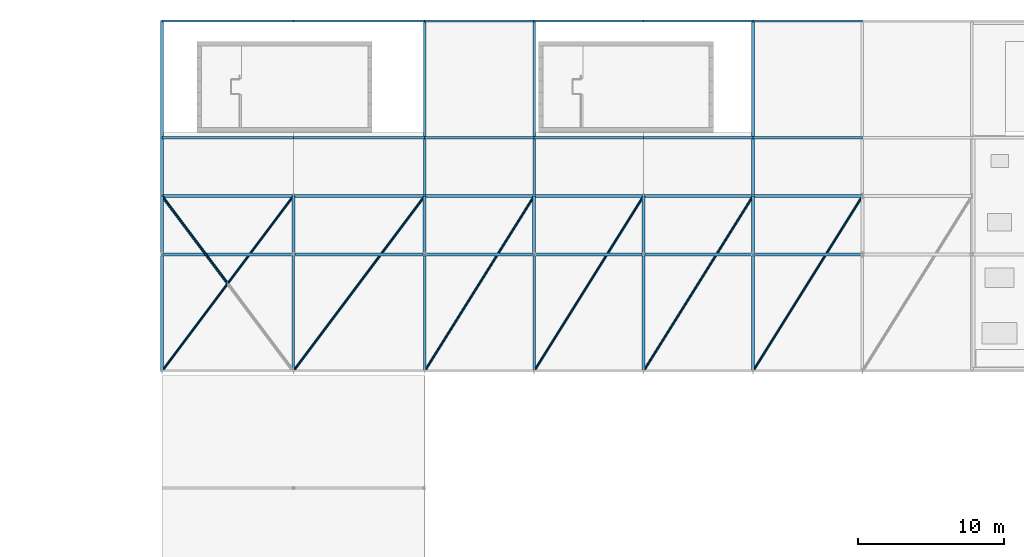
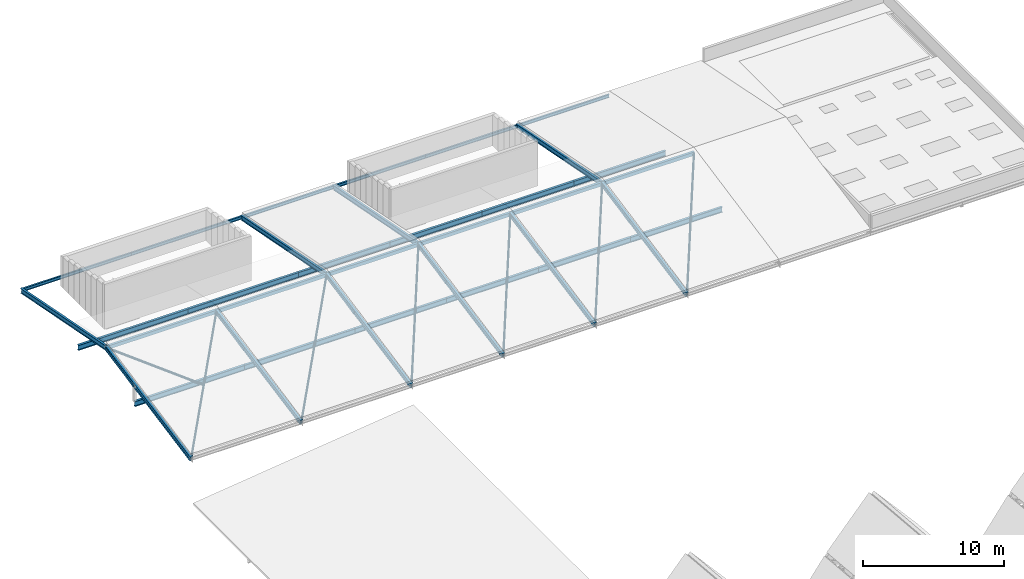
# One storey, part 44 of 93: 28 beams, 19 members.
"""IFC4 building model written with IfcOpenShell, lengths in metres."""

import ifcopenshell
import ifcopenshell.guid

model = None  # the IFC model being written
_history = None  # IfcOwnerHistory: only IFC2X3 demands one
_inside = {}  # id of a spatial element -> (the spatial element, [elements in it])
_under = {}  # id of a project, library or spatial element -> (it, [spatial elements below it])
_declared = {}  # id of a project -> (the project, [libraries it declares])
_typed = {}  # id of a type object -> (the type object, [elements of that type])
_made_of = {}  # id of a material, layer set ... -> (it, [elements and type objects made of it])


def new_model(schema):
    """Start an empty IFC model of exactly this schema.

    Asked for "IFC4X3", IfcOpenShell would pick the latest addendum, in which some entities
    have other attributes; the version numbers below select the first issue.
    IFC2X3 requires an IfcOwnerHistory on every rooted entity: one is made here for all.
    """
    global model, _history
    if schema == "IFC4X3":
        model = ifcopenshell.file(schema_version=(4, 3, 0, 0))
    else:
        model = ifcopenshell.file(schema=schema)
    _inside.clear()
    _under.clear()
    _declared.clear()
    _typed.clear()
    _made_of.clear()
    _history = None
    if model.schema == "IFC2X3":
        org = make("IfcOrganization", Name="unknown")
        user = make(
            "IfcPersonAndOrganization",
            ThePerson=make("IfcPerson", FamilyName="unknown"),
            TheOrganization=org,
        )
        app = make(
            "IfcApplication",
            ApplicationDeveloper=org,
            Version="unknown",
            ApplicationFullName="unknown",
            ApplicationIdentifier="unknown",
        )
        _history = make(
            "IfcOwnerHistory",
            OwningUser=user,
            OwningApplication=app,
            ChangeAction="ADDED",
            CreationDate=0,
        )
    return model


def make(cls, **values):
    """One entity of the class cls with the attributes given. An attribute that is None is left unset."""
    return model.create_entity(
        cls, **{name: value for name, value in values.items() if value is not None}
    )


def rooted(cls, **values):
    """An entity with a GlobalId (a new one), such as an element, a storey or a relation."""
    return make(cls, GlobalId=ifcopenshell.guid.new(), OwnerHistory=_history, **values)


def si_unit(unit_type, name, prefix=None):
    """IfcSIUnit, for example si_unit("LENGTHUNIT", "METRE", prefix="MILLI")."""
    return make("IfcSIUnit", UnitType=unit_type, Prefix=prefix, Name=name)


def assignment(units):
    """IfcUnitAssignment: the units of a project."""
    return None if units is None else make("IfcUnitAssignment", Units=units)


def point(xyz):
    """IfcCartesianPoint."""
    return None if xyz is None else make("IfcCartesianPoint", Coordinates=xyz)


def direction(xyz):
    """IfcDirection."""
    return None if xyz is None else make("IfcDirection", DirectionRatios=xyz)


def frame(location, z_axis=None, x_axis=None):
    """IfcAxis2Placement3D, a coordinate frame: its origin and axes. An axis left out is left unset."""
    return make(
        "IfcAxis2Placement3D",
        Location=point(location),
        Axis=direction(z_axis),
        RefDirection=direction(x_axis),
    )


def frame_2d(location, x_axis=None):
    """IfcAxis2Placement2D, a coordinate frame in the plane: its origin and x axis."""
    return make(
        "IfcAxis2Placement2D", Location=point(location), RefDirection=direction(x_axis)
    )


def origin():
    """The frame at (0, 0, 0) with its axes left unset."""
    return frame((0.0, 0.0, 0.0))


def origin_2d():
    """The frame at (0, 0) in the plane with its x axis left unset."""
    return frame_2d((0.0, 0.0))


def place(relative_to, where):
    """IfcLocalPlacement: puts the frame where relative to a parent placement (None: the world)."""
    return make(
        "IfcLocalPlacement", PlacementRelTo=relative_to, RelativePlacement=where
    )


def context(
    kind, dimensions, precision=None, world=None, true_north=None, identifier=None
):
    """IfcGeometricRepresentationContext, for example the 3D "Model" context."""
    return make(
        "IfcGeometricRepresentationContext",
        ContextIdentifier=identifier,
        ContextType=kind,
        CoordinateSpaceDimension=dimensions,
        Precision=precision,
        WorldCoordinateSystem=world,
        TrueNorth=true_north,
    )


def subcontext(parent, identifier, kind, view, scale=None):
    """IfcGeometricRepresentationSubContext, for example "Body" below "Model"."""
    return make(
        "IfcGeometricRepresentationSubContext",
        ContextIdentifier=identifier,
        ContextType=kind,
        ParentContext=parent,
        TargetScale=scale,
        TargetView=view,
    )


def project(units=None, contexts=None):
    """IfcProject with its units and contexts."""
    return rooted(
        "IfcProject",
        Name="project",
        RepresentationContexts=contexts,
        UnitsInContext=assignment(units),
    )


def spatial(cls, under=None, at=None, **own):
    """A site, building, storey or space (cls), placed at a placement, below another one or the project."""
    s = rooted(cls, ObjectPlacement=at, **own)
    if under is not None:
        _under.setdefault(under.id(), (under, []))[1].append(s)
    return s


def profile(cls, at=None, kind="AREA", **sizes):
    """A parametric profile (cls). Its sizes go by their IFC names, for example OverallWidth=200.0."""
    return make(cls, ProfileType=kind, Position=at, **sizes)


def hollow_rectangle(**sizes):
    """IfcRectangleHollowProfileDef."""
    return profile("IfcRectangleHollowProfileDef", **sizes)


def hollow_circle(**sizes):
    """IfcCircleHollowProfileDef."""
    return profile("IfcCircleHollowProfileDef", **sizes)


def i_section(**sizes):
    """IfcIShapeProfileDef."""
    return profile("IfcIShapeProfileDef", **sizes)


def extrude(swept, where, along, depth):
    """IfcExtrudedAreaSolid: the profile swept, set in the frame where, extruded along a direction by depth."""
    return make(
        "IfcExtrudedAreaSolid",
        SweptArea=swept,
        Position=where,
        ExtrudedDirection=direction(along),
        Depth=depth,
    )


def shape(context_of_items, identifier, shape_type, items):
    """IfcShapeRepresentation: the items that make up one representation, for example the "Body"."""
    return make(
        "IfcShapeRepresentation",
        ContextOfItems=context_of_items,
        RepresentationIdentifier=identifier,
        RepresentationType=shape_type,
        Items=items,
    )


def material(Name=None, Category=None):
    """IfcMaterial."""
    return make("IfcMaterial", Name=Name, Category=Category)


def material_profile(
    of_material, cross_section, Name=None, Category=None, Priority=None
):
    """IfcMaterialProfile: a cross section and its material."""
    return make(
        "IfcMaterialProfile",
        Name=Name,
        Material=of_material,
        Profile=cross_section,
        Priority=Priority,
        Category=Category,
    )


def profile_set(profiles, Name=None, composite=None):
    """IfcMaterialProfileSet."""
    return make(
        "IfcMaterialProfileSet",
        Name=Name,
        MaterialProfiles=profiles,
        CompositeProfile=composite,
    )


def made_of(thing, what):
    """Note that an element or type object is made of a material, layer set ...; save() writes the relation."""
    if what is not None:
        _made_of.setdefault(what.id(), (what, []))[1].append(thing)
    return thing


def type_object(cls, material=None, **own):
    """A type object (cls), such as IfcWallType, which elements share."""
    return made_of(rooted(cls, **own), material)


def element(
    cls,
    number,
    at=None,
    inside=None,
    cuts=None,
    type_object=None,
    material=None,
    context=None,
    identifier="Body",
    shape_type=None,
    held_by="IfcProductDefinitionShape",
    body=None,
    shapes=None,
    **own,
):
    """One element of the class cls, such as IfcWall. Its Tag is "e" and its number.

    at: its placement. inside: the storey or other place that contains it. cuts: it is an
    opening in that element (IfcRelVoidsElement). A single representation is given by context,
    identifier, shape_type and body (its items); several are given by shapes. held_by: the class
    of the entity that holds the representations. save() writes the other relations.
    """
    e = rooted(cls, Tag="e%d" % number, ObjectPlacement=at, **own)
    if body is not None:
        shapes = [shape(context, identifier, shape_type, body)]
    if shapes is not None:
        e.Representation = make(held_by, Representations=shapes)
    if inside is not None:
        _inside.setdefault(inside.id(), (inside, []))[1].append(e)
    if cuts is not None:
        rooted(
            "IfcRelVoidsElement", RelatingBuildingElement=cuts, RelatedOpeningElement=e
        )
    if type_object is not None:
        _typed.setdefault(type_object.id(), (type_object, []))[1].append(e)
    return made_of(e, material)


def aggregate(whole, parts):
    """IfcRelAggregates: a whole, such as a stair, and the parts it consists of."""
    return rooted("IfcRelAggregates", RelatingObject=whole, RelatedObjects=parts)


def save(model, path):
    """Write the relations noted so far, then the file.

    IfcRelAggregates (storeys below a building ...), IfcRelContainedInSpatialStructure (elements
    in a storey), IfcRelDefinesByType, IfcRelAssociatesMaterial and IfcRelDeclares: one each for
    every whole, place, type object, material and project.
    """
    for whole, parts in _under.values():
        aggregate(whole, parts)
    for where, things in _inside.values():
        rooted(
            "IfcRelContainedInSpatialStructure",
            RelatedElements=things,
            RelatingStructure=where,
        )
    for kind, things in _typed.values():
        rooted("IfcRelDefinesByType", RelatedObjects=things, RelatingType=kind)
    for what, things in _made_of.values():
        rooted("IfcRelAssociatesMaterial", RelatedObjects=things, RelatingMaterial=what)
    for by, libraries in _declared.values():
        rooted("IfcRelDeclares", RelatingContext=by, RelatedDefinitions=libraries)
    model.write(path)


model = new_model("IFC4")

# Units and contexts
model_context = context("Model", 3, precision=1e-05, world=origin(), true_north=direction((0.0, 1.0)))
body_context = subcontext(model_context, "Body", "Model", "MODEL_VIEW")
ifc_project = project(units=[si_unit("LENGTHUNIT", "METRE"), si_unit("AREAUNIT", "SQUARE_METRE"), si_unit("VOLUMEUNIT", "CUBIC_METRE"), si_unit("PLANEANGLEUNIT", "RADIAN"), si_unit("MASSUNIT", "GRAM", prefix="KILO")], contexts=[model_context])

# Site, building, storey
site_placement = place(None, origin())
site = spatial("IfcSite", under=ifc_project, at=site_placement, CompositionType="ELEMENT")
building_placement = place(site_placement, origin())
building = spatial("IfcBuilding", under=site, at=building_placement, Name="Vourika Railside Aquatics Centre", CompositionType="ELEMENT")
storey_placement = place(building_placement, frame((0.0, 0.0, 21.89990234375)))
storey = spatial("IfcBuildingStorey", under=building, at=storey_placement, Name="Roof", CompositionType="ELEMENT", Elevation=21.89990234375)

# Beams
ifc_material_1 = material(Name="Steel S355J2", Category="steel")
ifc_material_profile_1 = material_profile(ifc_material_1, i_section(OverallWidth=0.135009765625, OverallDepth=0.27001953125, WebThickness=0.006591796875, FlangeThickness=0.01025390625, at=origin_2d()), Name="IPE 270")
ifc_profile_set_1 = profile_set([ifc_material_profile_1], Name="Steel S355J2")
beam_type_1 = type_object("IfcBeamType", Name="BM-STL-IPE270", PredefinedType="SPANDREL", material=ifc_profile_set_1)
for number, where, z_axis, x_axis, name in (
    (1, (18.0, 116.0, -0.375), (1.0, 0.0, 0.0), (0.0, 1.0, 0.0), "Floor Beam GX-Roof-028"),
    (2, (27.0, 116.0, -0.375), (1.0, 0.0, 0.0), (0.0, 1.0, 0.0), "Floor Beam GX-Roof-029"),
):
    element("IfcBeam", number, at=place(storey_placement, frame(where, z_axis=z_axis, x_axis=x_axis)), inside=storey, type_object=beam_type_1, Name=name, PredefinedType="SPANDREL", context=body_context, shape_type="SweptSolid", body=[
        extrude(i_section(OverallWidth=0.135009765625, OverallDepth=0.27001953125, WebThickness=0.006591796875, FlangeThickness=0.01025390625, at=origin_2d()), origin(), (0.0, 0.0, 1.0), 9.0),
    ])
for number, where, z_axis, x_axis, name in (
    (3, (36.0, 116.0, -0.375), (1.0, 0.0, 0.0), (0.0, 1.0, 0.0), "Floor Beam GX-Roof-030"),
    (4, (43.5, 116.0, -0.375), (1.0, 0.0, 0.0), (0.0, 1.0, 0.0), "Floor Beam GX-Roof-031"),
    (5, (51.0, 116.0, -0.375), (1.0, 0.0, 0.0), (0.0, 1.0, 0.0), "Floor Beam GX-Roof-032"),
    (6, (58.5, 116.0, -0.375), (1.0, 0.0, 0.0), (0.0, 1.0, 0.0), "Floor Beam GX-Roof-033"),
):
    element("IfcBeam", number, at=place(storey_placement, frame(where, z_axis=z_axis, x_axis=x_axis)), inside=storey, type_object=beam_type_1, Name=name, PredefinedType="SPANDREL", context=body_context, shape_type="SweptSolid", body=[
        extrude(i_section(OverallWidth=0.135009765625, OverallDepth=0.27001953125, WebThickness=0.006591796875, FlangeThickness=0.01025390625, at=origin_2d()), origin(), (0.0, 0.0, 1.0), 7.5),
    ])
ifc_material_profile_2 = material_profile(ifc_material_1, i_section(OverallWidth=0.179931640625, OverallDepth=0.39990234375, WebThickness=0.008544921875, FlangeThickness=0.013427734375, at=origin_2d()), Name="IPE 400")
ifc_profile_set_2 = profile_set([ifc_material_profile_2], Name="Steel S355J2")
beam_type_2 = type_object("IfcBeamType", Name="BM-STL-IPE400", PredefinedType="BEAM", material=ifc_profile_set_2)
for number, where, z_axis, x_axis, name in (
    (7, (18.0, 92.0, -0.3798828125), (0.0, 0.981665249086, 0.190613060247), (-1.0, 0.0, 0.0), "Fitness Roof South Rafter V5RS-18.0"),
    (8, (18.0, 104.0, 1.9501953125), (0.0, 0.981665249086, -0.190613060247), (-1.0, 0.0, 0.0), "Fitness Roof North Rafter V5RN-18.0"),
    (9, (27.0, 92.0, -0.3798828125), (0.0, 0.981665249086, 0.190613060247), (-1.0, 0.0, 0.0), "Fitness Roof South Rafter V5RS-27.0"),
    (10, (36.0, 92.0, -0.3798828125), (0.0, 0.981665249086, 0.190613060247), (-1.0, 0.0, 0.0), "Fitness Roof South Rafter V5RS-36.0"),
    (11, (36.0, 104.0, 1.9501953125), (0.0, 0.981665249086, -0.190613060247), (-1.0, 0.0, 0.0), "Fitness Roof North Rafter V5RN-36.0"),
    (12, (43.5, 92.0, -0.3798828125), (0.0, 0.981665249086, 0.190613060247), (-1.0, 0.0, 0.0), "Fitness Roof South Rafter V5RS-43.5"),
    (13, (43.5, 104.0, 1.9501953125), (0.0, 0.981665249086, -0.190613060247), (-1.0, 0.0, 0.0), "Fitness Roof North Rafter V5RN-43.5"),
    (14, (51.0, 92.0, -0.3798828125), (0.0, 0.981665249086, 0.190613060247), (-1.0, 0.0, 0.0), "Fitness Roof South Rafter V5RS-51.0"),
    (15, (58.5, 92.0, -0.3798828125), (0.0, 0.981665249086, 0.190613060247), (-1.0, 0.0, 0.0), "Fitness Roof South Rafter V5RS-58.5"),
    (16, (58.5, 104.0, 1.9501953125), (0.0, 0.981665249086, -0.190613060247), (-1.0, 0.0, 0.0), "Fitness Roof North Rafter V5RN-58.5"),
):
    element("IfcBeam", number, at=place(storey_placement, frame(where, z_axis=z_axis, x_axis=x_axis)), inside=storey, type_object=beam_type_2, Name=name, PredefinedType="BEAM", context=body_context, shape_type="SweptSolid", body=[
        extrude(i_section(OverallWidth=0.179931640625, OverallDepth=0.39990234375, WebThickness=0.008544921875, FlangeThickness=0.013427734375, at=origin_2d()), origin(), (0.0, 0.0, 1.0), 12.22412109375),
    ])
ifc_material_profile_3 = material_profile(ifc_material_1, i_section(OverallWidth=0.18994140625, OverallDepth=0.449951171875, WebThickness=0.009521484375, FlangeThickness=0.0146484375, at=origin_2d()), Name="IPE 450")
ifc_profile_set_3 = profile_set([ifc_material_profile_3], Name="Steel S355J2")
beam_type_3 = type_object("IfcBeamType", Name="BM-STL-IPE450", PredefinedType="BEAM", material=ifc_profile_set_3)
for number, where, z_axis, x_axis, name in (
    (17, (18.0, 100.0, -0.46484375), (1.0, 0.0, 0.0), (0.0, 1.0, 0.0), "Floor Beam GX-Roof-010"),
    (18, (27.0, 100.0, -0.46484375), (1.0, 0.0, 0.0), (0.0, 1.0, 0.0), "Floor Beam GX-Roof-011"),
):
    element("IfcBeam", number, at=place(storey_placement, frame(where, z_axis=z_axis, x_axis=x_axis)), inside=storey, type_object=beam_type_3, Name=name, PredefinedType="BEAM", context=body_context, shape_type="SweptSolid", body=[
        extrude(i_section(OverallWidth=0.18994140625, OverallDepth=0.449951171875, WebThickness=0.009521484375, FlangeThickness=0.0146484375, at=origin_2d()), origin(), (0.0, 0.0, 1.0), 9.0),
    ])
for number, where, z_axis, x_axis, name in (
    (19, (36.0, 100.0, -0.46484375), (1.0, 0.0, 0.0), (0.0, 1.0, 0.0), "Floor Beam GX-Roof-012"),
    (20, (43.5, 100.0, -0.46484375), (1.0, 0.0, 0.0), (0.0, 1.0, 0.0), "Floor Beam GX-Roof-013"),
    (21, (51.0, 100.0, -0.46484375), (1.0, 0.0, 0.0), (0.0, 1.0, 0.0), "Floor Beam GX-Roof-014"),
    (22, (58.5, 100.0, -0.46484375), (1.0, 0.0, 0.0), (0.0, 1.0, 0.0), "Floor Beam GX-Roof-015"),
):
    element("IfcBeam", number, at=place(storey_placement, frame(where, z_axis=z_axis, x_axis=x_axis)), inside=storey, type_object=beam_type_3, Name=name, PredefinedType="BEAM", context=body_context, shape_type="SweptSolid", body=[
        extrude(i_section(OverallWidth=0.18994140625, OverallDepth=0.449951171875, WebThickness=0.009521484375, FlangeThickness=0.0146484375, at=origin_2d()), origin(), (0.0, 0.0, 1.0), 7.5),
    ])
for number, where, z_axis, x_axis, name in (
    (23, (18.0, 108.0, -0.46484375), (1.0, 0.0, 0.0), (0.0, 1.0, 0.0), "Floor Beam GX-Roof-019"),
    (24, (27.0, 108.0, -0.46484375), (1.0, 0.0, 0.0), (0.0, 1.0, 0.0), "Floor Beam GX-Roof-020"),
):
    element("IfcBeam", number, at=place(storey_placement, frame(where, z_axis=z_axis, x_axis=x_axis)), inside=storey, type_object=beam_type_3, Name=name, PredefinedType="BEAM", context=body_context, shape_type="SweptSolid", body=[
        extrude(i_section(OverallWidth=0.18994140625, OverallDepth=0.449951171875, WebThickness=0.009521484375, FlangeThickness=0.0146484375, at=origin_2d()), origin(), (0.0, 0.0, 1.0), 9.0),
    ])
for number, where, z_axis, x_axis, name in (
    (25, (36.0, 108.0, -0.46484375), (1.0, 0.0, 0.0), (0.0, 1.0, 0.0), "Floor Beam GX-Roof-021"),
    (26, (43.5, 108.0, -0.46484375), (1.0, 0.0, 0.0), (0.0, 1.0, 0.0), "Floor Beam GX-Roof-022"),
    (27, (51.0, 108.0, -0.46484375), (1.0, 0.0, 0.0), (0.0, 1.0, 0.0), "Floor Beam GX-Roof-023"),
    (28, (58.5, 108.0, -0.46484375), (1.0, 0.0, 0.0), (0.0, 1.0, 0.0), "Floor Beam GX-Roof-024"),
):
    element("IfcBeam", number, at=place(storey_placement, frame(where, z_axis=z_axis, x_axis=x_axis)), inside=storey, type_object=beam_type_3, Name=name, PredefinedType="BEAM", context=body_context, shape_type="SweptSolid", body=[
        extrude(i_section(OverallWidth=0.18994140625, OverallDepth=0.449951171875, WebThickness=0.009521484375, FlangeThickness=0.0146484375, at=origin_2d()), origin(), (0.0, 0.0, 1.0), 7.5),
    ])

# Members
ifc_material_2 = material(Name="Duplex stainless steel EN 1.4462", Category="steel")
ifc_material_profile_4 = material_profile(ifc_material_2, hollow_circle(Radius=0.084228515625, WallThickness=0.008056640625, at=origin_2d()), Name="CHS 168.3x8")
ifc_profile_set_4 = profile_set([ifc_material_profile_4], Name="Duplex stainless steel EN 1.4462")
member_type_1 = type_object("IfcMemberType", Name="MEM-SS-CHS168", PredefinedType="BRACE", material=ifc_profile_set_4)
for number, where, z_axis, x_axis, name in (
    (29, (18.0, 92.0, -0.3798828125), (0.592889409794, 0.790519213059, 0.153497627145), (-0.8, 0.6, 0.0), "Fitness Roof Diagonal Stainless Tie V5DT-18.0"),
    (30, (27.0, 92.0, -0.3798828125), (0.592889409794, 0.790519213059, 0.153497627145), (-0.8, 0.6, 0.0), "Fitness Roof Diagonal Stainless Tie V5DT-27.0"),
):
    element("IfcMember", number, at=place(storey_placement, frame(where, z_axis=z_axis, x_axis=x_axis)), inside=storey, type_object=member_type_1, Name=name, PredefinedType="BRACE", context=body_context, shape_type="SweptSolid", body=[
        extrude(hollow_circle(Radius=0.084228515625, WallThickness=0.008056640625, at=origin_2d()), origin(), (0.0, 0.0, 1.0), 15.179931640625),
    ])
for number, where, z_axis, x_axis, name in (
    (31, (36.0, 92.0, -0.3798828125), (0.522957033656, 0.83673125385, 0.162470765925), (-0.847998304005, 0.529998940003, 0.0), "Fitness Roof Diagonal Stainless Tie V5DT-36.0"),
    (32, (43.5, 92.0, -0.3798828125), (0.522957033656, 0.83673125385, 0.162470765925), (-0.847998304005, 0.529998940003, 0.0), "Fitness Roof Diagonal Stainless Tie V5DT-43.5"),
    (33, (51.0, 92.0, -0.3798828125), (0.522957033656, 0.83673125385, 0.162470765925), (-0.847998304005, 0.529998940003, 0.0), "Fitness Roof Diagonal Stainless Tie V5DT-51.0"),
    (34, (58.5, 92.0, -0.3798828125), (0.522957033656, 0.83673125385, 0.162470765925), (-0.847998304005, 0.529998940003, 0.0), "Fitness Roof Diagonal Stainless Tie V5DT-58.5"),
):
    element("IfcMember", number, at=place(storey_placement, frame(where, z_axis=z_axis, x_axis=x_axis)), inside=storey, type_object=member_type_1, Name=name, PredefinedType="BRACE", context=body_context, shape_type="SweptSolid", body=[
        extrude(hollow_circle(Radius=0.084228515625, WallThickness=0.008056640625, at=origin_2d()), origin(), (0.0, 0.0, 1.0), 14.341552734375),
    ])
ifc_material_profile_5 = material_profile(ifc_material_1, hollow_circle(Radius=0.096923828125, WallThickness=0.010009765625, at=origin_2d()), Name="CHS 193.7x10")
ifc_profile_set_5 = profile_set([ifc_material_profile_5], Name="Steel S355J2")
member_type_2 = type_object("IfcMemberType", Name="MEM-STL-CHS193", PredefinedType="BRACE", material=ifc_profile_set_5)
member_placement = place(storey_placement, frame((22.5, 98.0, 0.78515625), z_axis=(-0.592889409794, 0.790519213059, 0.153497627145), x_axis=(-0.8, -0.6, 0.0)))
element("IfcMember", 35, at=member_placement, inside=storey, type_object=member_type_2, Name="Fitness Roof Split Counter Wind Brace V5WB2-18.0", PredefinedType="BRACE", context=body_context, shape_type="SweptSolid", body=[
    extrude(hollow_circle(Radius=0.096923828125, WallThickness=0.010009765625, at=origin_2d()), origin(), (0.0, 0.0, 1.0), 7.58984375),
])
ifc_material_profile_6 = material_profile(ifc_material_1, hollow_rectangle(XDim=0.199951171875, YDim=0.300048828125, WallThickness=0.011962890625, at=origin_2d()), Name="RHS 300x200x12")
ifc_profile_set_6 = profile_set([ifc_material_profile_6], Name="Steel S355J2")
member_type_3 = type_object("IfcMemberType", Name="MEM-STL-RHS300", PredefinedType="CHORD", material=ifc_profile_set_6)
for number, where, z_axis, x_axis, name in (
    (36, (18.0, 104.0, 1.9501953125), (1.0, 0.0, 0.0), (0.0, 1.0, 0.0), "Fitness Roof Ridge Chord V5RC-18.0"),
    (37, (27.0, 104.0, 1.9501953125), (1.0, 0.0, 0.0), (0.0, 1.0, 0.0), "Fitness Roof Ridge Chord V5RC-27.0"),
):
    element("IfcMember", number, at=place(storey_placement, frame(where, z_axis=z_axis, x_axis=x_axis)), inside=storey, type_object=member_type_3, Name=name, PredefinedType="CHORD", context=body_context, shape_type="SweptSolid", body=[
        extrude(hollow_rectangle(XDim=0.199951171875, YDim=0.300048828125, WallThickness=0.011962890625, at=origin_2d()), origin(), (0.0, 0.0, 1.0), 9.0),
    ])
for number, where, z_axis, x_axis, name in (
    (38, (36.0, 104.0, 1.9501953125), (1.0, 0.0, 0.0), (0.0, 1.0, 0.0), "Fitness Roof Ridge Chord V5RC-36.0"),
    (39, (43.5, 104.0, 1.9501953125), (1.0, 0.0, 0.0), (0.0, 1.0, 0.0), "Fitness Roof Ridge Chord V5RC-43.5"),
    (40, (51.0, 104.0, 1.9501953125), (1.0, 0.0, 0.0), (0.0, 1.0, 0.0), "Fitness Roof Ridge Chord V5RC-51.0"),
    (41, (58.5, 104.0, 1.9501953125), (1.0, 0.0, 0.0), (0.0, 1.0, 0.0), "Fitness Roof Ridge Chord V5RC-58.5"),
):
    element("IfcMember", number, at=place(storey_placement, frame(where, z_axis=z_axis, x_axis=x_axis)), inside=storey, type_object=member_type_3, Name=name, PredefinedType="CHORD", context=body_context, shape_type="SweptSolid", body=[
        extrude(hollow_rectangle(XDim=0.199951171875, YDim=0.300048828125, WallThickness=0.011962890625, at=origin_2d()), origin(), (0.0, 0.0, 1.0), 7.5),
    ])
ifc_material_profile_7 = material_profile(ifc_material_1, hollow_rectangle(XDim=0.199951171875, YDim=0.199951171875, WallThickness=0.010009765625, at=origin_2d()), Name="SHS 200x200x10")
ifc_profile_set_7 = profile_set([ifc_material_profile_7], Name="Steel S355J2")
member_type_4 = type_object("IfcMemberType", Name="MEM-STL-SHS200", PredefinedType="STRUT", material=ifc_profile_set_7)
for number, where, z_axis, x_axis, name in (
    (42, (18.0, 100.0, 1.050048828125), (0.0, 0.975602104142, 0.219546201048), (-1.0, 0.0, 0.0), "Fitness Roof King Strut V5KS-18.0"),
    (43, (27.0, 100.0, 1.050048828125), (0.0, 0.975602104142, 0.219546201048), (-1.0, 0.0, 0.0), "Fitness Roof King Strut V5KS-27.0"),
    (44, (36.0, 100.0, 1.050048828125), (0.0, 0.975602104142, 0.219546201048), (-1.0, 0.0, 0.0), "Fitness Roof King Strut V5KS-36.0"),
    (45, (43.5, 100.0, 1.050048828125), (0.0, 0.975602104142, 0.219546201048), (-1.0, 0.0, 0.0), "Fitness Roof King Strut V5KS-43.5"),
    (46, (51.0, 100.0, 1.050048828125), (0.0, 0.975602104142, 0.219546201048), (-1.0, 0.0, 0.0), "Fitness Roof King Strut V5KS-51.0"),
    (47, (58.5, 100.0, 1.050048828125), (0.0, 0.975602104142, 0.219546201048), (-1.0, 0.0, 0.0), "Fitness Roof King Strut V5KS-58.5"),
):
    element("IfcMember", number, at=place(storey_placement, frame(where, z_axis=z_axis, x_axis=x_axis)), inside=storey, type_object=member_type_4, Name=name, PredefinedType="STRUT", context=body_context, shape_type="SweptSolid", body=[
        extrude(hollow_rectangle(XDim=0.199951171875, YDim=0.199951171875, WallThickness=0.010009765625, at=origin_2d()), origin(), (0.0, 0.0, 1.0), 4.10009765625),
    ])

save(model, "model.ifc")
